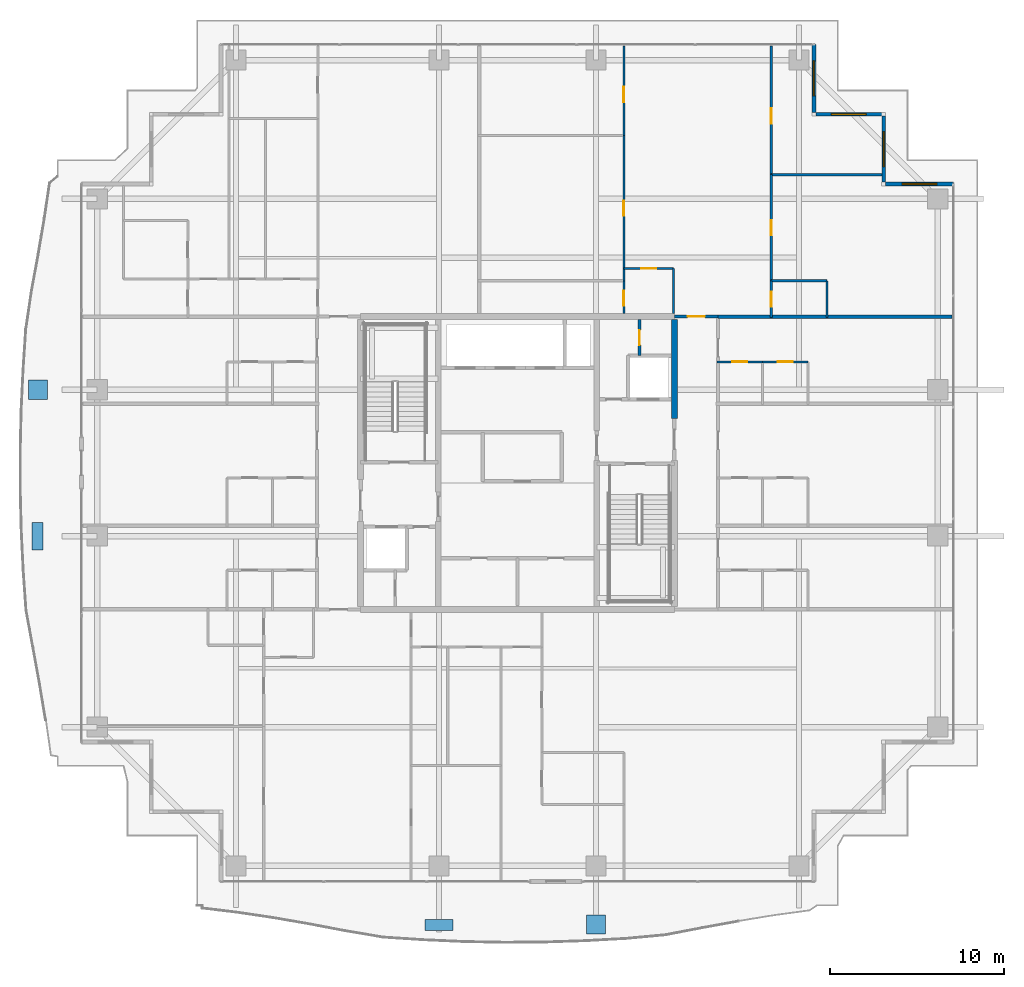
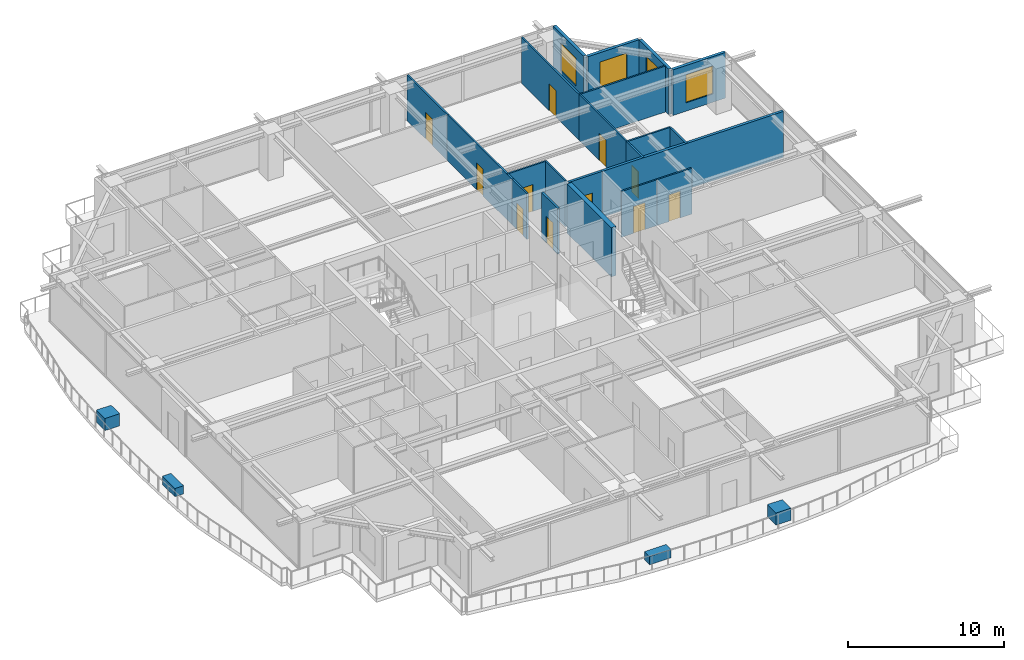
# One storey, part 29 of 36: 21 walls, 11 doors, 4 discrete accessories, 4 windows, 15 openings.
"""IFC4 building model written with IfcOpenShell, lengths in metres."""

from ifc_helpers import new_model, si_unit, direction, frame, frame_2d, origin, origin_2d, place, context, subcontext, project, spatial, rectangle, extrude, source, transform, mapped, material, layer, layer_set, type_object, element, fill, save


model = new_model("IFC4")

# Units and contexts
model_context = context("Model", 3, precision=1e-05, world=origin(), true_north=direction((0.0, 1.0)))
body_context = subcontext(model_context, "Body", "Model", "MODEL_VIEW")
ifc_project = project(units=[si_unit("LENGTHUNIT", "METRE"), si_unit("AREAUNIT", "SQUARE_METRE"), si_unit("VOLUMEUNIT", "CUBIC_METRE"), si_unit("PLANEANGLEUNIT", "RADIAN"), si_unit("MASSUNIT", "GRAM", prefix="KILO")], contexts=[model_context])

# Site, building, storey
site_placement = place(None, origin())
site = spatial("IfcSite", under=ifc_project, at=site_placement, CompositionType="ELEMENT")
building_placement = place(site_placement, origin())
building = spatial("IfcBuilding", under=site, at=building_placement, Name="Serunith Strait Residences", CompositionType="ELEMENT")
storey_placement = place(building_placement, frame((0.0, 0.0, 256.64990234375)))
storey = spatial("IfcBuildingStorey", under=building, at=storey_placement, Name="L64", CompositionType="ELEMENT", Elevation=256.64990234375)

# Wall, opening, window
ifc_material_1 = material(Name="Pale-Champagne Aluminium Insulated Panel", Category="aluminium")
ifc_layer_1 = layer(ifc_material_1, 0.219970703125, Name="Pale-Champagne Aluminium Insulated Panel")
ifc_layer_set_1 = layer_set([ifc_layer_1], Name="Pale-Champagne Aluminium Insulated Panel")
wall_type_1 = type_object("IfcWallType", Name="EW-ALUM-220", PredefinedType="ELEMENTEDWALL", material=ifc_layer_set_1)
wall_1_placement = place(storey_placement, frame((57.39990234375, 41.199951171875, 0.0), z_axis=(0.0, 0.0, 1.0), x_axis=(-1.0, 0.0, 0.0)))
wall_1 = element("IfcWall", 1, at=wall_1_placement, inside=storey, type_object=wall_type_1, Name="L64 Girih Serrated Corner Wall 07", PredefinedType="ELEMENTEDWALL", context=body_context, shape_type="SweptSolid", body=[
    extrude(rectangle(XDim=3.889892578125, YDim=0.219970703125, at=frame_2d((1.94482421875, 0.0))), origin(), (0.0, 0.0, 1.0), 3.5751953125),
])
opening_1_placement = place(wall_1_placement, frame((0.945068359375, 0.0, 0.64990234375)))
opening_1 = element("IfcOpeningElement", 2, at=opening_1_placement, cuts=wall_1, Name="Opening W-04", PredefinedType="OPENING", context=body_context, shape_type="SweptSolid", body=[
    extrude(rectangle(XDim=2.0, YDim=2.199951171875, at=frame_2d((1.0, 1.10009765625))), frame((0.0, 0.1201171875, 0.0), z_axis=(0.0, -1.0, 0.0), x_axis=(1.0, 0.0, 0.0)), (0.0, 0.0, 1.0), 0.239990234375),
])
ifc_material_2 = material(Name="Ceramic-Fritted Operable Aluminium Window Glass", Category="aluminium")
window_type = type_object("IfcWindowType", Name="WIN-C4", PartitioningType="TRIPLE_PANEL_VERTICAL", PredefinedType="WINDOW", material=ifc_material_2)
shared_shape_1 = source(origin(), body_context, "Body", "SweptSolid", [
    extrude(rectangle(XDim=2.0, YDim=2.199951171875, at=frame_2d((1.0, 1.10009765625))), frame((0.0, 0.030029296875, 0.0), z_axis=(0.0, -1.0, 0.0), x_axis=(1.0, 0.0, 0.0)), (0.0, 0.0, 1.0), 0.06005859375),
])
window_1_placement = place(opening_1_placement, origin())
window_1 = element("IfcWindow", 3, at=window_1_placement, inside=storey, type_object=window_type, Name="L64 Corner Operable Fritted Window 07", OverallHeight=2.199951171875, OverallWidth=2.0, PartitioningType="SINGLE_PANEL", PredefinedType="WINDOW", context=body_context, shape_type="MappedRepresentation", body=[
    mapped(shared_shape_1, transform((0.0, 0.0, 0.0), scale=1.0)),
])
fill(opening_1, window_1)

wall_2_placement = place(storey_placement, frame((53.39990234375, 41.31005859375, 0.0), z_axis=(0.0, 0.0, 1.0), x_axis=(0.0, 1.0, 0.0)))
wall_2 = element("IfcWall", 4, at=wall_2_placement, inside=storey, type_object=wall_type_1, Name="L64 Girih Serrated Corner Wall 08", PredefinedType="ELEMENTEDWALL", context=body_context, shape_type="SweptSolid", body=[
    extrude(rectangle(XDim=3.780029296875, YDim=0.219970703125, at=frame_2d((1.89013671875, 0.0))), origin(), (0.0, 0.0, 1.0), 3.5751953125),
])
opening_2_placement = place(wall_2_placement, frame((0.889892578125, 0.0, 0.64990234375)))
opening_2 = element("IfcOpeningElement", 5, at=opening_2_placement, cuts=wall_2, Name="Opening W-04", PredefinedType="OPENING", context=body_context, shape_type="SweptSolid", body=[
    extrude(rectangle(XDim=2.0, YDim=2.199951171875, at=frame_2d((1.0, 1.10009765625))), frame((0.0, 0.1201171875, 0.0), z_axis=(0.0, -1.0, 0.0), x_axis=(1.0, 0.0, 0.0)), (0.0, 0.0, 1.0), 0.239990234375),
])
window_2_placement = place(opening_2_placement, origin())
window_2 = element("IfcWindow", 6, at=window_2_placement, inside=storey, type_object=window_type, Name="L64 Corner Operable Fritted Window 08", OverallHeight=2.199951171875, OverallWidth=2.0, PartitioningType="SINGLE_PANEL", PredefinedType="WINDOW", context=body_context, shape_type="MappedRepresentation", body=[
    mapped(shared_shape_1, transform((0.0, 0.0, 0.0), scale=1.0)),
])
fill(opening_2, window_2)

wall_3_placement = place(storey_placement, frame((53.2900390625, 45.199951171875, 0.0), z_axis=(0.0, 0.0, 1.0), x_axis=(-1.0, 0.0, 0.0)))
wall_3 = element("IfcWall", 7, at=wall_3_placement, inside=storey, type_object=wall_type_1, Name="L64 Girih Serrated Corner Wall 09", PredefinedType="ELEMENTEDWALL", context=body_context, shape_type="SweptSolid", body=[
    extrude(rectangle(XDim=3.780029296875, YDim=0.219970703125, at=frame_2d((1.89013671875, 0.0))), origin(), (0.0, 0.0, 1.0), 3.5751953125),
])
opening_3_placement = place(wall_3_placement, frame((0.889892578125, 0.0, 0.64990234375)))
opening_3 = element("IfcOpeningElement", 8, at=opening_3_placement, cuts=wall_3, Name="Opening W-04", PredefinedType="OPENING", context=body_context, shape_type="SweptSolid", body=[
    extrude(rectangle(XDim=2.0, YDim=2.199951171875, at=frame_2d((1.0, 1.10009765625))), frame((0.0, 0.1201171875, 0.0), z_axis=(0.0, -1.0, 0.0), x_axis=(1.0, 0.0, 0.0)), (0.0, 0.0, 1.0), 0.239990234375),
])
window_3_placement = place(opening_3_placement, origin())
window_3 = element("IfcWindow", 9, at=window_3_placement, inside=storey, type_object=window_type, Name="L64 Corner Operable Fritted Window 09", OverallHeight=2.199951171875, OverallWidth=2.0, PartitioningType="SINGLE_PANEL", PredefinedType="WINDOW", context=body_context, shape_type="MappedRepresentation", body=[
    mapped(shared_shape_1, transform((0.0, 0.0, 0.0), scale=1.0)),
])
fill(opening_3, window_3)

wall_4_placement = place(storey_placement, frame((49.39990234375, 45.31005859375, 0.0), z_axis=(0.0, 0.0, 1.0), x_axis=(0.0, 1.0, 0.0)))
wall_4 = element("IfcWall", 10, at=wall_4_placement, inside=storey, type_object=wall_type_1, Name="L64 Girih Serrated Corner Wall 10", PredefinedType="ELEMENTEDWALL", context=body_context, shape_type="SweptSolid", body=[
    extrude(rectangle(XDim=3.889892578125, YDim=0.219970703125, at=frame_2d((1.94482421875, 0.0))), origin(), (0.0, 0.0, 1.0), 3.5751953125),
])
opening_4_placement = place(wall_4_placement, frame((0.945068359375, 0.0, 0.64990234375)))
opening_4 = element("IfcOpeningElement", 11, at=opening_4_placement, cuts=wall_4, Name="Opening W-04", PredefinedType="OPENING", context=body_context, shape_type="SweptSolid", body=[
    extrude(rectangle(XDim=2.0, YDim=2.199951171875, at=frame_2d((1.0, 1.10009765625))), frame((0.0, 0.1201171875, 0.0), z_axis=(0.0, -1.0, 0.0), x_axis=(1.0, 0.0, 0.0)), (0.0, 0.0, 1.0), 0.239990234375),
])
window_4_placement = place(opening_4_placement, origin())
window_4 = element("IfcWindow", 12, at=window_4_placement, inside=storey, type_object=window_type, Name="L64 Corner Operable Fritted Window 10", OverallHeight=2.199951171875, OverallWidth=2.0, PartitioningType="SINGLE_PANEL", PredefinedType="WINDOW", context=body_context, shape_type="MappedRepresentation", body=[
    mapped(shared_shape_1, transform((0.0, 0.0, 0.0), scale=1.0)),
])
fill(opening_4, window_4)

# Wall, opening, door
ifc_material_3 = material(Name="Fire-rated masonry service closet wall", Category="masonry")
ifc_layer_2 = layer(ifc_material_3, 0.14990234375, Name="Fire-rated masonry service closet wall")
ifc_layer_set_2 = layer_set([ifc_layer_2], Name="Fire-rated masonry service closet wall")
wall_type_2 = type_object("IfcWallType", Name="IW-BOH-150", PredefinedType="PARTITIONING", material=ifc_layer_set_2)
wall_5_placement = place(storey_placement, frame((39.39990234375, 31.35009765625, 0.0), z_axis=(0.0, 0.0, 1.0), x_axis=(0.0, 1.0, 0.0)))
wall_5 = element("IfcWall", 13, at=wall_5_placement, inside=storey, type_object=wall_type_2, Name="L64 Partition Wall 012", PredefinedType="PARTITIONING", context=body_context, shape_type="SweptSolid", body=[
    extrude(rectangle(XDim=2.074951171875, YDim=0.14990234375, at=frame_2d((1.03759765625, 0.0))), origin(), (0.0, 0.0, 1.0), 3.590087890625),
])
opening_5_placement = place(wall_5_placement, frame((0.612060546875, 0.0, 0.0)))
opening_5 = element("IfcOpeningElement", 14, at=opening_5_placement, cuts=wall_5, Name="Opening FD-850", PredefinedType="OPENING", context=body_context, shape_type="SweptSolid", body=[
    extrude(rectangle(XDim=0.85009765625, YDim=2.10009765625, at=frame_2d((0.425048828125, 1.050048828125))), frame((0.0, 0.0849609375, 0.0), z_axis=(0.0, -1.0, 0.0), x_axis=(1.0, 0.0, 0.0)), (0.0, 0.0, 1.0), 0.169921875),
])
ifc_material_4 = material(Name="Powder-coated steel service closet door", Category="steel")
door_type_1 = type_object("IfcDoorType", Name="FD-BOH-850", OperationType="NOTDEFINED", PredefinedType="DOOR", material=ifc_material_4)
shared_shape_2 = source(origin(), body_context, "Body", "SweptSolid", [
    extrude(rectangle(XDim=0.85009765625, YDim=2.10009765625, at=frame_2d((0.425048828125, 1.050048828125))), frame((0.0, 0.02490234375, 0.0), z_axis=(0.0, -1.0, 0.0), x_axis=(1.0, 0.0, 0.0)), (0.0, 0.0, 1.0), 0.050048828125),
])
door_1_placement = place(opening_5_placement, origin())
door_1 = element("IfcDoor", 15, at=door_1_placement, inside=storey, type_object=door_type_1, Name="L64 Janitor Store Door", OperationType="SINGLE_SWING_RIGHT", OverallHeight=2.10009765625, OverallWidth=0.85009765625, PredefinedType="DOOR", context=body_context, shape_type="MappedRepresentation", body=[
    mapped(shared_shape_2, transform((0.0, 0.0, 0.0), scale=1.0)),
])
fill(opening_5, door_1)

ifc_material_5 = material(Name="Fire-rated acoustic gypsum partition")
ifc_layer_3 = layer(ifc_material_5, 0.179931640625, Name="Fire-rated acoustic gypsum partition")
ifc_layer_set_3 = layer_set([ifc_layer_3], Name="Fire-rated acoustic gypsum partition")
wall_type_3 = type_object("IfcWallType", Name="IW-CORR-180", PredefinedType="PARTITIONING", material=ifc_layer_set_3)
wall_6_placement = place(storey_placement, frame((41.402099609375, 33.60009765625, 0.0), z_axis=(0.0, 0.0, 1.0), x_axis=(1.0, 0.0, 0.0)))
wall_6 = element("IfcWall", 16, at=wall_6_placement, inside=storey, type_object=wall_type_3, Name="L64 Partition Wall 033", PredefinedType="PARTITIONING", context=body_context, shape_type="SweptSolid", body=[
    extrude(rectangle(XDim=2.495849609375, YDim=0.179931640625, at=frame_2d((1.248046875, 0.0))), origin(), (0.0, 0.0, 1.0), 3.590087890625),
])
opening_6_placement = place(wall_6_placement, frame((0.748046875, 0.0, 0.0)))
opening_6 = element("IfcOpeningElement", 17, at=opening_6_placement, cuts=wall_6, Name="Opening D-APT1000", PredefinedType="OPENING", context=body_context, shape_type="SweptSolid", body=[
    extrude(rectangle(XDim=1.0, YDim=2.14990234375, at=frame_2d((0.5, 1.074951171875))), frame((0.0, 0.10009765625, 0.0), z_axis=(0.0, -1.0, 0.0), x_axis=(1.0, 0.0, 0.0)), (0.0, 0.0, 1.0), 0.199951171875),
])
ifc_material_6 = material(Name="Solid timber engineered fire door", Category="wood")
door_type_2 = type_object("IfcDoorType", Name="ID-APT-1000", OperationType="NOTDEFINED", PredefinedType="DOOR", material=ifc_material_6)
shared_shape_3 = source(origin(), body_context, "Body", "SweptSolid", [
    extrude(rectangle(XDim=1.0, YDim=2.14990234375, at=frame_2d((0.5, 1.074951171875))), frame((0.0, 0.02490234375, 0.0), z_axis=(0.0, -1.0, 0.0), x_axis=(1.0, 0.0, 0.0)), (0.0, 0.0, 1.0), 0.050048828125),
])
door_2_placement = place(opening_6_placement, origin())
door_2 = element("IfcDoor", 18, at=door_2_placement, inside=storey, type_object=door_type_2, Name="L64 Unit 03 Entrance Door", OperationType="SINGLE_SWING_LEFT", OverallHeight=2.14990234375, OverallWidth=1.0, PredefinedType="DOOR", context=body_context, shape_type="MappedRepresentation", body=[
    mapped(shared_shape_3, transform((0.0, 0.0, 0.0), scale=1.0)),
])
fill(opening_6, door_2)

ifc_material_7 = material(Name="Lightweight steel-stud gypsum partition", Category="steel")
ifc_layer_4 = layer(ifc_material_7, 0.1201171875, Name="Lightweight steel-stud gypsum partition")
ifc_layer_set_4 = layer_set([ifc_layer_4], Name="Lightweight steel-stud gypsum partition")
wall_type_4 = type_object("IfcWallType", Name="IW-PART-120", PredefinedType="PARTITIONING", material=ifc_layer_set_4)
wall_7_placement = place(storey_placement, frame((38.5, 36.35009765625, 0.0), z_axis=(0.0, 0.0, 1.0), x_axis=(1.0, 0.0, 0.0)))
wall_7 = element("IfcWall", 19, at=wall_7_placement, inside=storey, type_object=wall_type_4, Name="L64 Partition Wall 072", PredefinedType="PARTITIONING", context=body_context, shape_type="SweptSolid", body=[
    extrude(rectangle(XDim=2.85009765625, YDim=0.1201171875, at=frame_2d((1.425048828125, 0.0))), origin(), (0.0, 0.0, 1.0), 3.590087890625),
])
opening_7_placement = place(wall_7_placement, frame((1.0, 0.0, 0.0)))
opening_7 = element("IfcOpeningElement", 20, at=opening_7_placement, cuts=wall_7, Name="Opening D-RM850", PredefinedType="OPENING", context=body_context, shape_type="SweptSolid", body=[
    extrude(rectangle(XDim=0.85009765625, YDim=2.10009765625, at=frame_2d((0.425048828125, 1.050048828125))), frame((0.0, 0.070068359375, 0.0), z_axis=(0.0, -1.0, 0.0), x_axis=(1.0, 0.0, 0.0)), (0.0, 0.0, 1.0), 0.14013671875),
])
ifc_material_8 = material(Name="Engineered timber flush study and kitchen door", Category="wood")
door_type_3 = type_object("IfcDoorType", Name="ID-ROOM-850", OperationType="NOTDEFINED", PredefinedType="DOOR", material=ifc_material_8)
door_3_placement = place(opening_7_placement, origin())
door_3 = element("IfcDoor", 21, at=door_3_placement, inside=storey, type_object=door_type_3, Name="L64 Kitchen 6403 Door", OperationType="SINGLE_SWING_LEFT", OverallHeight=2.10009765625, OverallWidth=0.85009765625, PredefinedType="DOOR", context=body_context, shape_type="MappedRepresentation", body=[
    mapped(shared_shape_2, transform((0.0, 0.0, 0.0), scale=1.0)),
])
fill(opening_7, door_3)

# Wall
wall_8_placement = place(storey_placement, frame((41.35009765625, 36.35009765625, 0.0), z_axis=(0.0, 0.0, 1.0), x_axis=(0.0, -1.0, 0.0)))
element("IfcWall", 22, at=wall_8_placement, inside=storey, type_object=wall_type_4, Name="L64 Partition Wall 073", PredefinedType="PARTITIONING", context=body_context, shape_type="SweptSolid", body=[
    extrude(rectangle(XDim=2.5751953125, YDim=0.1201171875, at=frame_2d((1.28759765625, 0.0))), origin(), (0.0, 0.0, 1.0), 3.590087890625),
])

# Wall, opening, door
wall_9_placement = place(storey_placement, frame((38.5, 49.10498046875, 0.0), z_axis=(0.0, 0.0, 1.0), x_axis=(0.0, -1.0, 0.0)))
wall_9 = element("IfcWall", 23, at=wall_9_placement, inside=storey, type_object=wall_type_4, Name="L64 Partition Wall 074", PredefinedType="PARTITIONING", context=body_context, shape_type="SweptSolid", body=[
    extrude(rectangle(XDim=5.123046875, YDim=0.1201171875, at=frame_2d((2.5615234375, 0.0))), origin(), (0.0, 0.0, 1.0), 3.590087890625),
])
opening_8_placement = place(wall_9_placement, frame((2.322998046875, 0.0, 0.0)))
opening_8 = element("IfcOpeningElement", 24, at=opening_8_placement, cuts=wall_9, Name="Opening D-RM900", PredefinedType="OPENING", context=body_context, shape_type="SweptSolid", body=[
    extrude(rectangle(XDim=0.89990234375, YDim=2.10009765625, at=frame_2d((0.449951171875, 1.050048828125))), frame((0.0, 0.070068359375, 0.0), z_axis=(0.0, -1.0, 0.0), x_axis=(1.0, 0.0, 0.0)), (0.0, 0.0, 1.0), 0.14013671875),
])
ifc_material_9 = material(Name="Engineered timber flush bedroom door", Category="wood")
door_type_4 = type_object("IfcDoorType", Name="ID-ROOM-900", OperationType="NOTDEFINED", PredefinedType="DOOR", material=ifc_material_9)
shared_shape_4 = source(origin(), body_context, "Body", "SweptSolid", [
    extrude(rectangle(XDim=0.89990234375, YDim=2.10009765625, at=frame_2d((0.449951171875, 1.050048828125))), frame((0.0, 0.02490234375, 0.0), z_axis=(0.0, -1.0, 0.0), x_axis=(1.0, 0.0, 0.0)), (0.0, 0.0, 1.0), 0.050048828125),
])
door_4_placement = place(opening_8_placement, origin())
door_4 = element("IfcDoor", 25, at=door_4_placement, inside=storey, type_object=door_type_4, Name="L64 Master Bedroom 1 6403 Door", OperationType="SINGLE_SWING_RIGHT", OverallHeight=2.10009765625, OverallWidth=0.89990234375, PredefinedType="DOOR", context=body_context, shape_type="MappedRepresentation", body=[
    mapped(shared_shape_4, transform((0.0, 0.0, 0.0), scale=1.0)),
])
fill(opening_8, door_4)

wall_10_placement = place(storey_placement, frame((38.5, 43.97998046875, 0.0), z_axis=(0.0, 0.0, 1.0), x_axis=(0.0, -1.0, 0.0)))
wall_10 = element("IfcWall", 26, at=wall_10_placement, inside=storey, type_object=wall_type_4, Name="L64 Partition Wall 077", PredefinedType="PARTITIONING", context=body_context, shape_type="SweptSolid", body=[
    extrude(rectangle(XDim=8.330078125, YDim=0.1201171875, at=frame_2d((4.1650390625, 0.0))), origin(), (0.0, 0.0, 1.0), 3.590087890625),
])
opening_9_placement = place(wall_10_placement, frame((3.739990234375, 0.0, 0.0)))
opening_9 = element("IfcOpeningElement", 27, at=opening_9_placement, cuts=wall_10, Name="Opening D-RM850", PredefinedType="OPENING", context=body_context, shape_type="SweptSolid", body=[
    extrude(rectangle(XDim=0.85009765625, YDim=2.10009765625, at=frame_2d((0.425048828125, 1.050048828125))), frame((0.0, 0.070068359375, 0.0), z_axis=(0.0, -1.0, 0.0), x_axis=(1.0, 0.0, 0.0)), (0.0, 0.0, 1.0), 0.14013671875),
])
door_5_placement = place(opening_9_placement, origin())
door_5 = element("IfcDoor", 28, at=door_5_placement, inside=storey, type_object=door_type_3, Name="L64 Walk-in Wardrobe 6403 Door", OperationType="SINGLE_SWING_LEFT", OverallHeight=2.10009765625, OverallWidth=0.85009765625, PredefinedType="DOOR", context=body_context, shape_type="MappedRepresentation", body=[
    mapped(shared_shape_2, transform((0.0, 0.0, 0.0), scale=1.0)),
])
fill(opening_9, door_5)

wall_11_placement = place(storey_placement, frame((38.5, 35.64794921875, 0.0), z_axis=(0.0, 0.0, 1.0), x_axis=(0.0, -1.0, 0.0)))
wall_11 = element("IfcWall", 29, at=wall_11_placement, inside=storey, type_object=wall_type_4, Name="L64 Partition Wall 078", PredefinedType="PARTITIONING", context=body_context, shape_type="SweptSolid", body=[
    extrude(rectangle(XDim=1.873046875, YDim=0.1201171875, at=frame_2d((0.9365234375, 0.0))), origin(), (0.0, 0.0, 1.0), 3.590087890625),
])
opening_10_placement = place(wall_11_placement, frame((0.574951171875, 0.0, 0.0)))
opening_10 = element("IfcOpeningElement", 30, at=opening_10_placement, cuts=wall_11, Name="Opening D-BTH850", PredefinedType="OPENING", context=body_context, shape_type="SweptSolid", body=[
    extrude(rectangle(XDim=0.85009765625, YDim=2.10009765625, at=frame_2d((0.425048828125, 1.050048828125))), frame((0.0, 0.070068359375, 0.0), z_axis=(0.0, -1.0, 0.0), x_axis=(1.0, 0.0, 0.0)), (0.0, 0.0, 1.0), 0.14013671875),
])
ifc_material_10 = material(Name="Moisture-resistant timber bathroom door", Category="wood")
door_type_5 = type_object("IfcDoorType", Name="ID-BATH-850", OperationType="NOTDEFINED", PredefinedType="DOOR", material=ifc_material_10)
door_6_placement = place(opening_10_placement, origin())
door_6 = element("IfcDoor", 31, at=door_6_placement, inside=storey, type_object=door_type_5, Name="L64 Bathroom 6403 Door", OperationType="SINGLE_SWING_RIGHT", OverallHeight=2.10009765625, OverallWidth=0.85009765625, PredefinedType="DOOR", context=body_context, shape_type="MappedRepresentation", body=[
    mapped(shared_shape_2, transform((0.0, 0.0, 0.0), scale=1.0)),
])
fill(opening_10, door_6)

wall_12_placement = place(storey_placement, frame((46.949951171875, 49.10498046875, 0.0), z_axis=(0.0, 0.0, 1.0), x_axis=(0.0, -1.0, 0.0)))
wall_12 = element("IfcWall", 32, at=wall_12_placement, inside=storey, type_object=wall_type_4, Name="L64 Partition Wall 079", PredefinedType="PARTITIONING", context=body_context, shape_type="SweptSolid", body=[
    extrude(rectangle(XDim=7.373046875, YDim=0.1201171875, at=frame_2d((3.6865234375, 0.0))), origin(), (0.0, 0.0, 1.0), 3.590087890625),
])
opening_11_placement = place(wall_12_placement, frame((3.56005859375, 0.0, 0.0)))
opening_11 = element("IfcOpeningElement", 33, at=opening_11_placement, cuts=wall_12, Name="Opening D-RM900", PredefinedType="OPENING", context=body_context, shape_type="SweptSolid", body=[
    extrude(rectangle(XDim=0.89990234375, YDim=2.10009765625, at=frame_2d((0.449951171875, 1.050048828125))), frame((0.0, 0.070068359375, 0.0), z_axis=(0.0, -1.0, 0.0), x_axis=(1.0, 0.0, 0.0)), (0.0, 0.0, 1.0), 0.14013671875),
])
door_7_placement = place(opening_11_placement, origin())
door_7 = element("IfcDoor", 34, at=door_7_placement, inside=storey, type_object=door_type_4, Name="L64 Bedroom 2 6403 Door", OperationType="SINGLE_SWING_LEFT", OverallHeight=2.10009765625, OverallWidth=0.89990234375, PredefinedType="DOOR", context=body_context, shape_type="MappedRepresentation", body=[
    mapped(shared_shape_4, transform((0.0, 0.0, 0.0), scale=1.0)),
])
fill(opening_11, door_7)

# Walls
wall_13_placement = place(storey_placement, frame((46.949951171875, 41.73193359375, 0.0), z_axis=(0.0, 0.0, 1.0), x_axis=(1.0, 0.0, 0.0)))
element("IfcWall", 35, at=wall_13_placement, inside=storey, type_object=wall_type_4, Name="L64 Partition Wall 080", PredefinedType="PARTITIONING", context=body_context, shape_type="SweptSolid", body=[
    extrude(rectangle(XDim=6.35498046875, YDim=0.1201171875, at=frame_2d((3.177490234375, 0.0))), origin(), (0.0, 0.0, 1.0), 3.590087890625),
])
wall_14_placement = place(storey_placement, frame((46.949951171875, 35.64990234375, 0.0), z_axis=(0.0, 0.0, 1.0), x_axis=(1.0, 0.0, 0.0)))
element("IfcWall", 36, at=wall_14_placement, inside=storey, type_object=wall_type_4, Name="L64 Partition Wall 081", PredefinedType="PARTITIONING", context=body_context, shape_type="SweptSolid", body=[
    extrude(rectangle(XDim=3.199951171875, YDim=0.1201171875, at=frame_2d((1.60009765625, 0.0))), origin(), (0.0, 0.0, 1.0), 3.590087890625),
])
wall_15_placement = place(storey_placement, frame((50.14990234375, 35.64990234375, 0.0), z_axis=(0.0, 0.0, 1.0), x_axis=(0.0, -1.0, 0.0)))
element("IfcWall", 37, at=wall_15_placement, inside=storey, type_object=wall_type_4, Name="L64 Partition Wall 082", PredefinedType="PARTITIONING", context=body_context, shape_type="SweptSolid", body=[
    extrude(rectangle(XDim=2.10986328125, YDim=0.1201171875, at=frame_2d((1.054931640625, 0.0))), origin(), (0.0, 0.0, 1.0), 3.590087890625),
])

# Wall, opening, door
wall_16_placement = place(storey_placement, frame((46.949951171875, 41.72998046875, 0.0), z_axis=(0.0, 0.0, 1.0), x_axis=(0.0, -1.0, 0.0)))
wall_16 = element("IfcWall", 38, at=wall_16_placement, inside=storey, type_object=wall_type_4, Name="L64 Partition Wall 083", PredefinedType="PARTITIONING", context=body_context, shape_type="SweptSolid", body=[
    extrude(rectangle(XDim=6.080078125, YDim=0.1201171875, at=frame_2d((3.0400390625, 0.0))), origin(), (0.0, 0.0, 1.0), 3.590087890625),
])
opening_12_placement = place(wall_16_placement, frame((2.614990234375, 0.0, 0.0)))
opening_12 = element("IfcOpeningElement", 39, at=opening_12_placement, cuts=wall_16, Name="Opening D-RM850", PredefinedType="OPENING", context=body_context, shape_type="SweptSolid", body=[
    extrude(rectangle(XDim=0.85009765625, YDim=2.10009765625, at=frame_2d((0.425048828125, 1.050048828125))), frame((0.0, 0.070068359375, 0.0), z_axis=(0.0, -1.0, 0.0), x_axis=(1.0, 0.0, 0.0)), (0.0, 0.0, 1.0), 0.14013671875),
])
door_8_placement = place(opening_12_placement, origin())
door_8 = element("IfcDoor", 40, at=door_8_placement, inside=storey, type_object=door_type_3, Name="L64 Walk-in Wardrobe 6403 Door", OperationType="SINGLE_SWING_RIGHT", OverallHeight=2.10009765625, OverallWidth=0.85009765625, PredefinedType="DOOR", context=body_context, shape_type="MappedRepresentation", body=[
    mapped(shared_shape_2, transform((0.0, 0.0, 0.0), scale=1.0)),
])
fill(opening_12, door_8)

wall_17_placement = place(storey_placement, frame((46.949951171875, 35.64794921875, 0.0), z_axis=(0.0, 0.0, 1.0), x_axis=(0.0, -1.0, 0.0)))
wall_17 = element("IfcWall", 41, at=wall_17_placement, inside=storey, type_object=wall_type_4, Name="L64 Partition Wall 084", PredefinedType="PARTITIONING", context=body_context, shape_type="SweptSolid", body=[
    extrude(rectangle(XDim=2.10791015625, YDim=0.1201171875, at=frame_2d((1.053955078125, 0.0))), origin(), (0.0, 0.0, 1.0), 3.590087890625),
])
opening_13_placement = place(wall_17_placement, frame((0.62890625, 0.0, 0.0)))
opening_13 = element("IfcOpeningElement", 42, at=opening_13_placement, cuts=wall_17, Name="Opening D-BTH850", PredefinedType="OPENING", context=body_context, shape_type="SweptSolid", body=[
    extrude(rectangle(XDim=0.85009765625, YDim=2.10009765625, at=frame_2d((0.425048828125, 1.050048828125))), frame((0.0, 0.070068359375, 0.0), z_axis=(0.0, -1.0, 0.0), x_axis=(1.0, 0.0, 0.0)), (0.0, 0.0, 1.0), 0.14013671875),
])
door_9_placement = place(opening_13_placement, origin())
door_9 = element("IfcDoor", 43, at=door_9_placement, inside=storey, type_object=door_type_5, Name="L64 Bathroom 6403 Door", OperationType="SINGLE_SWING_LEFT", OverallHeight=2.10009765625, OverallWidth=0.85009765625, PredefinedType="DOOR", context=body_context, shape_type="MappedRepresentation", body=[
    mapped(shared_shape_2, transform((0.0, 0.0, 0.0), scale=1.0)),
])
fill(opening_13, door_9)

wall_18_placement = place(storey_placement, frame((49.050048828125, 31.0, 0.0), z_axis=(0.0, 0.0, 1.0), x_axis=(-1.0, 0.0, 0.0)))
wall_18 = element("IfcWall", 44, at=wall_18_placement, inside=storey, type_object=wall_type_4, Name="L64 Partition Wall 105", PredefinedType="PARTITIONING", context=body_context, shape_type="SweptSolid", body=[
    extrude(rectangle(XDim=2.60009765625, YDim=0.1201171875, at=frame_2d((1.300048828125, 0.0))), origin(), (0.0, 0.0, 1.0), 3.590087890625),
])
opening_14_placement = place(wall_18_placement, frame((0.875, 0.0, 0.0)))
opening_14 = element("IfcOpeningElement", 45, at=opening_14_placement, cuts=wall_18, Name="Opening D-RM850", PredefinedType="OPENING", context=body_context, shape_type="SweptSolid", body=[
    extrude(rectangle(XDim=0.85009765625, YDim=2.10009765625, at=frame_2d((0.425048828125, 1.050048828125))), frame((0.0, 0.070068359375, 0.0), z_axis=(0.0, -1.0, 0.0), x_axis=(1.0, 0.0, 0.0)), (0.0, 0.0, 1.0), 0.14013671875),
])
door_10_placement = place(opening_14_placement, origin())
door_10 = element("IfcDoor", 46, at=door_10_placement, inside=storey, type_object=door_type_3, Name="L64 Kitchen 6409 Door", OperationType="SINGLE_SWING_RIGHT", OverallHeight=2.10009765625, OverallWidth=0.85009765625, PredefinedType="DOOR", context=body_context, shape_type="MappedRepresentation", body=[
    mapped(shared_shape_2, transform((0.0, 0.0, 0.0), scale=1.0)),
])
fill(opening_14, door_10)

wall_19_placement = place(storey_placement, frame((46.447998046875, 31.0, 0.0), z_axis=(0.0, 0.0, 1.0), x_axis=(-1.0, 0.0, 0.0)))
wall_19 = element("IfcWall", 47, at=wall_19_placement, inside=storey, type_object=wall_type_4, Name="L64 Partition Wall 106", PredefinedType="PARTITIONING", context=body_context, shape_type="SweptSolid", body=[
    extrude(rectangle(XDim=2.60791015625, YDim=0.1201171875, at=frame_2d((1.303955078125, 0.0))), origin(), (0.0, 0.0, 1.0), 3.590087890625),
])
opening_15_placement = place(wall_19_placement, frame((0.87890625, 0.0, 0.0)))
opening_15 = element("IfcOpeningElement", 48, at=opening_15_placement, cuts=wall_19, Name="Opening D-BTH850", PredefinedType="OPENING", context=body_context, shape_type="SweptSolid", body=[
    extrude(rectangle(XDim=0.85009765625, YDim=2.10009765625, at=frame_2d((0.425048828125, 1.050048828125))), frame((0.0, 0.070068359375, 0.0), z_axis=(0.0, -1.0, 0.0), x_axis=(1.0, 0.0, 0.0)), (0.0, 0.0, 1.0), 0.14013671875),
])
door_11_placement = place(opening_15_placement, origin())
door_11 = element("IfcDoor", 49, at=door_11_placement, inside=storey, type_object=door_type_5, Name="L64 Bathroom 6409 Door", OperationType="SINGLE_SWING_LEFT", OverallHeight=2.10009765625, OverallWidth=0.85009765625, PredefinedType="DOOR", context=body_context, shape_type="MappedRepresentation", body=[
    mapped(shared_shape_2, transform((0.0, 0.0, 0.0), scale=1.0)),
])
fill(opening_15, door_11)

# Walls
ifc_material_11 = material(Name="Twin-stud acoustic gypsum board partition")
ifc_layer_5 = layer(ifc_material_11, 0.199951171875, Name="Twin-stud acoustic gypsum board partition")
ifc_layer_set_5 = layer_set([ifc_layer_5], Name="Twin-stud acoustic gypsum board partition")
wall_type_5 = type_object("IfcWallType", Name="IW-PARTY-200", PredefinedType="PARTITIONING", material=ifc_layer_set_5)
wall_20_placement = place(storey_placement, frame((43.89990234375, 33.60009765625, 0.0), z_axis=(0.0, 0.0, 1.0), x_axis=(1.0, 0.0, 0.0)))
element("IfcWall", 50, at=wall_20_placement, inside=storey, type_object=wall_type_5, Name="L64 Partition Wall 028", PredefinedType="PARTITIONING", context=body_context, shape_type="SweptSolid", body=[
    extrude(rectangle(XDim=13.418212890625, YDim=0.199951171875, at=frame_2d((6.708984375, 0.0))), origin(), (0.0, 0.0, 1.0), 3.590087890625),
])
ifc_material_12 = material(Name="Concrete C60/75", Category="concrete")
ifc_layer_6 = layer(ifc_material_12, 0.35009765625, Name="Concrete C60/75")
ifc_layer_set_6 = layer_set([ifc_layer_6], Name="Concrete C60/75")
wall_type_6 = type_object("IfcWallType", Name="SW-350-C60", PredefinedType="SHEAR", material=ifc_layer_set_6)
wall_21_placement = place(storey_placement, frame((41.39990234375, 27.75, -0.260009765625), z_axis=(0.0, 0.0, 1.0), x_axis=(0.0, 1.0, 0.0)))
element("IfcWall", 51, at=wall_21_placement, inside=storey, type_object=wall_type_6, Name="L64 Core East Shear Wall North Pier", PredefinedType="SHEAR", context=body_context, shape_type="SweptSolid", body=[
    extrude(rectangle(XDim=5.675048828125, YDim=0.35009765625, at=frame_2d((2.83740234375, 0.0))), origin(), (0.0, 0.0, 1.0), 3.84814453125),
])

# Discrete accessories
ifc_material_13 = material(Name="GFRC Root-Anchored Structural Planter")
discrete_accessory_type_1 = type_object("IfcDiscreteAccessoryType", Name="ACC-PLANTER-TREE", PredefinedType="USERDEFINED", material=ifc_material_13)
shared_shape_5 = source(origin(), body_context, "Body", "SweptSolid", [
    extrude(rectangle(XDim=1.10009765625, YDim=1.10009765625, at=origin_2d()), origin(), (0.0, 0.0, 1.0), 0.949951171875),
])
for number, where, z_axis, x_axis, name in (
    (52, (36.89990234375, -1.2705078125, -0.0498046875), (0.0, 0.0, 1.0), (1.0, 0.0, 0.0), "L64 Vertical-Forest Tree Planter 03"),
    (53, (4.903076171875, 29.39990234375, -0.0498046875), (0.0, 0.0, 1.0), (0.0, -1.0, 0.0), "L64 Vertical-Forest Tree Planter 15"),
):
    element("IfcDiscreteAccessory", number, at=place(storey_placement, frame(where, z_axis=z_axis, x_axis=x_axis)), inside=storey, type_object=discrete_accessory_type_1, Name=name, ObjectType="PLANTER", PredefinedType="USERDEFINED", context=body_context, shape_type="MappedRepresentation", body=[
        mapped(shared_shape_5, transform((0.0, 0.0, 0.0), scale=1.0)),
    ])
ifc_material_14 = material(Name="GFRC Irrigated Shrub Trough Planter")
discrete_accessory_type_2 = type_object("IfcDiscreteAccessoryType", Name="ACC-PLANTER-SHRUB", PredefinedType="USERDEFINED", material=ifc_material_14)
shared_shape_6 = source(origin(), body_context, "Body", "SweptSolid", [
    extrude(rectangle(XDim=1.60009765625, YDim=0.64990234375, at=origin_2d()), origin(), (0.0, 0.0, 1.0), 0.64990234375),
])
for number, where, z_axis, x_axis, name in (
    (54, (27.89990234375, -1.29052734375, -0.0498046875), (0.0, 0.0, 1.0), (1.0, 0.0, 0.0), "L64 Vertical-Forest Shrub Planter 02"),
    (55, (4.86962890625, 21.0, -0.0498046875), (0.0, 0.0, 1.0), (0.0, -1.0, 0.0), "L64 Vertical-Forest Shrub Planter 14"),
):
    element("IfcDiscreteAccessory", number, at=place(storey_placement, frame(where, z_axis=z_axis, x_axis=x_axis)), inside=storey, type_object=discrete_accessory_type_2, Name=name, ObjectType="PLANTER", PredefinedType="USERDEFINED", context=body_context, shape_type="MappedRepresentation", body=[
        mapped(shared_shape_6, transform((0.0, 0.0, 0.0), scale=1.0)),
    ])

save(model, "model.ifc")
